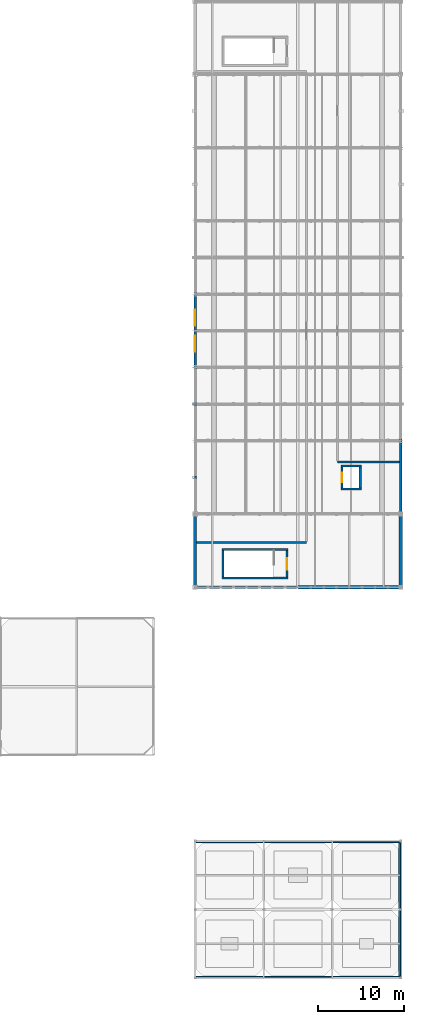
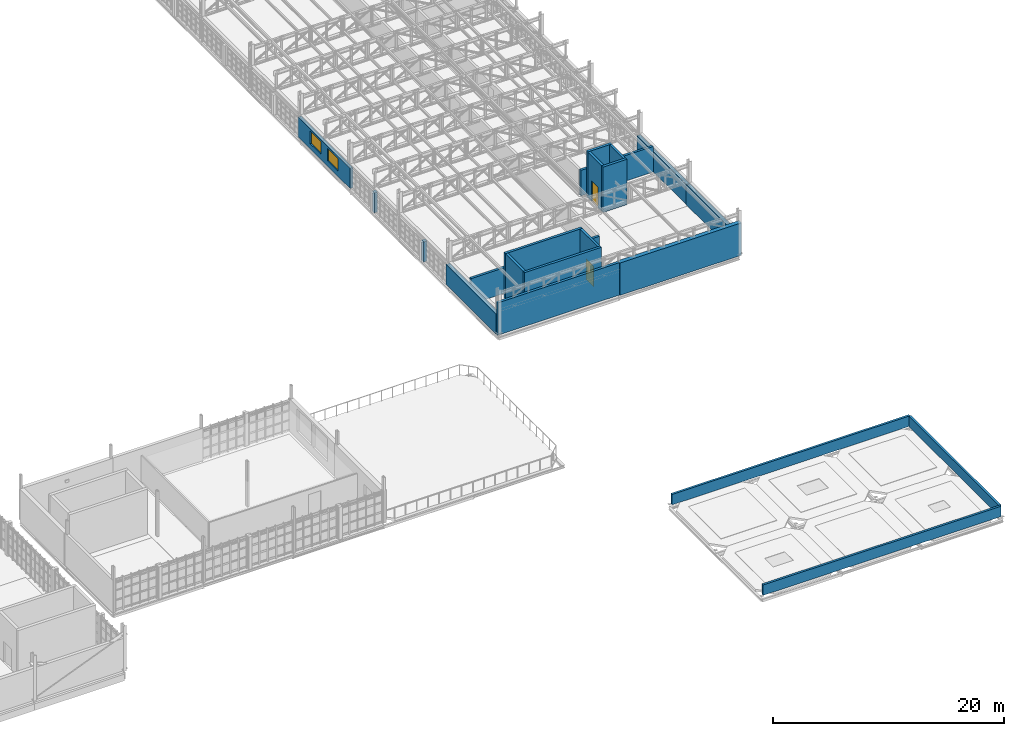
# One storey, part 117 of 128: 21 walls, 2 doors, 2 windows, 4 openings.
"""IFC4 building model written with IfcOpenShell, lengths in metres."""

from ifc_helpers import new_model, si_unit, direction, frame, frame_2d, origin, place, context, subcontext, project, spatial, rectangle, extrude, material, layer, layer_set, type_object, element, fill, save


model = new_model("IFC4")

# Units and contexts
model_context = context("Model", 3, precision=1e-05, world=origin(), true_north=direction((0.0, 1.0)))
body_context = subcontext(model_context, "Body", "Model", "MODEL_VIEW")
ifc_project = project(units=[si_unit("LENGTHUNIT", "METRE"), si_unit("AREAUNIT", "SQUARE_METRE"), si_unit("VOLUMEUNIT", "CUBIC_METRE"), si_unit("PLANEANGLEUNIT", "RADIAN"), si_unit("MASSUNIT", "GRAM", prefix="KILO")], contexts=[model_context])

# Site, building, storey
site_placement = place(None, origin())
site = spatial("IfcSite", under=ifc_project, at=site_placement, CompositionType="ELEMENT")
building_placement = place(site_placement, origin())
building = spatial("IfcBuilding", under=site, at=building_placement, Name="Serraforn Aerial Cableway Station", CompositionType="ELEMENT")
storey_placement = place(building_placement, frame((0.0, 0.0, 9.0)))
storey = spatial("IfcBuildingStorey", under=building, at=storey_placement, Name="L02", CompositionType="ELEMENT", Elevation=9.0)

# Wall, opening, door
ifc_material_1 = material(Name="Concrete C35/45", Category="concrete")
ifc_layer_1 = layer(ifc_material_1, 0.25)
ifc_layer_set_1 = layer_set([ifc_layer_1], Name="Concrete C35/45")
wall_type_1 = type_object("IfcWallType", Name="WL-COR-250", PredefinedType="SHEAR", material=ifc_layer_set_1)
wall_1_placement = place(storey_placement, frame((154.72509765625, 49.860107421875, 0.0), z_axis=(0.0, 0.0, 1.0), x_axis=(0.0, -1.0, 0.0)))
wall_1 = element("IfcWall", 1, at=wall_1_placement, inside=storey, type_object=wall_type_1, Name="Stair Core Shear Wall WCOR-ST-10-L02-NEAR", PredefinedType="SHEAR", context=body_context, shape_type="SweptSolid", body=[
    extrude(rectangle(XDim=3.06005859375, YDim=0.25, at=frame_2d((1.530029296875, 0.0))), origin(), (0.0, 0.0, 1.0), 4.800048828125),
])
opening_1_placement = place(wall_1_placement, frame((0.85498046875, 0.0, 0.0)))
opening_1 = element("IfcOpeningElement", 2, at=opening_1_placement, cuts=wall_1, Name="Opening D-S36", PredefinedType="OPENING", context=body_context, shape_type="SweptSolid", body=[
    extrude(rectangle(XDim=1.35009765625, YDim=2.14990234375, at=frame_2d((0.675048828125, 1.074951171875))), frame((0.0, 0.135009765625, 0.0), z_axis=(0.0, -1.0, 0.0), x_axis=(1.0, 0.0, 0.0)), (0.0, 0.0, 1.0), 0.27001953125),
])
ifc_material_2 = material(Name="Self-closing steel stair fire door", Category="steel")
door_type_1 = type_object("IfcDoorType", Name="DR-STAIR-135", OperationType="NOTDEFINED", PredefinedType="DOOR", material=ifc_material_2)
door_1_placement = place(opening_1_placement, origin())
door_1 = element("IfcDoor", 3, at=door_1_placement, inside=storey, type_object=door_type_1, Name="Protected Stair Door D-S36", OperationType="SINGLE_SWING_RIGHT", OverallHeight=2.14990234375, OverallWidth=1.35009765625, PredefinedType="DOOR", context=body_context, shape_type="SweptSolid", body=[
    extrude(rectangle(XDim=1.35009765625, YDim=2.14990234375, at=frame_2d((0.675048828125, 1.074951171875))), frame((0.0, 0.02490234375, 0.0), z_axis=(0.0, -1.0, 0.0), x_axis=(1.0, 0.0, 0.0)), (0.0, 0.0, 1.0), 0.050048828125),
])
fill(opening_1, door_1)

# Walls
wall_2_placement = place(storey_placement, frame((147.27490234375, 49.860107421875, 0.0), z_axis=(0.0, 0.0, 1.0), x_axis=(0.0, -1.0, 0.0)))
element("IfcWall", 4, at=wall_2_placement, inside=storey, type_object=wall_type_1, Name="Stair Core Shear Wall WCOR-ST-10-L02-FAR", PredefinedType="SHEAR", context=body_context, shape_type="SweptSolid", body=[
    extrude(rectangle(XDim=3.06005859375, YDim=0.25, at=frame_2d((1.530029296875, 0.0))), origin(), (0.0, 0.0, 1.0), 4.800048828125),
])
for number, where, z_axis, x_axis, name in (
    (5, (154.85009765625, 49.985107421875, 0.0), (0.0, 0.0, 1.0), (-1.0, 0.0, 0.0), "Stair Core Shear Wall WCOR-ST-10-L02-L"),
    (6, (154.85009765625, 46.675048828125, 0.0), (0.0, 0.0, 1.0), (-1.0, 0.0, 0.0), "Stair Core Shear Wall WCOR-ST-10-L02-R"),
):
    element("IfcWall", number, at=place(storey_placement, frame(where, z_axis=z_axis, x_axis=x_axis)), inside=storey, type_object=wall_type_1, Name=name, PredefinedType="SHEAR", context=body_context, shape_type="SweptSolid", body=[
        extrude(rectangle(XDim=7.7001953125, YDim=0.25, at=frame_2d((3.85009765625, 0.0))), origin(), (0.0, 0.0, 1.0), 4.800048828125),
    ])
for number, where, z_axis, x_axis, name in (
    (7, (161.0, 57.074951171875, 0.0), (0.0, 0.0, 1.0), (1.0, 0.0, 0.0), "Lift Shaft Shear Wall WLFT-LF-06-L02-S"),
    (8, (161.0, 59.72509765625, 0.0), (0.0, 0.0, 1.0), (1.0, 0.0, 0.0), "Lift Shaft Shear Wall WLFT-LF-06-L02-N"),
):
    element("IfcWall", number, at=place(storey_placement, frame(where, z_axis=z_axis, x_axis=x_axis)), inside=storey, type_object=wall_type_1, Name=name, PredefinedType="SHEAR", context=body_context, shape_type="SweptSolid", body=[
        extrude(rectangle(XDim=2.39990234375, YDim=0.25, at=frame_2d((1.199951171875, 0.0))), origin(), (0.0, 0.0, 1.0), 4.800048828125),
    ])

# Wall, opening, door
wall_3_placement = place(storey_placement, frame((161.125, 57.199951171875, 0.0), z_axis=(0.0, 0.0, 1.0), x_axis=(0.0, 1.0, 0.0)))
wall_3 = element("IfcWall", 9, at=wall_3_placement, inside=storey, type_object=wall_type_1, Name="Lift Shaft Shear Wall WLFT-LF-06-L02-W", PredefinedType="SHEAR", context=body_context, shape_type="SweptSolid", body=[
    extrude(rectangle(XDim=2.400146484375, YDim=0.25, at=frame_2d((1.2001953125, 0.0))), origin(), (0.0, 0.0, 1.0), 4.800048828125),
])
opening_2_placement = place(wall_3_placement, frame((0.64990234375, 0.0, 0.0)))
opening_2 = element("IfcOpeningElement", 10, at=opening_2_placement, cuts=wall_3, Name="Opening LD-23", PredefinedType="OPENING", context=body_context, shape_type="SweptSolid", body=[
    extrude(rectangle(XDim=1.10009765625, YDim=2.14990234375, at=frame_2d((0.550048828125, 1.074951171875))), frame((0.0, 0.135009765625, 0.0), z_axis=(0.0, -1.0, 0.0), x_axis=(1.0, 0.0, 0.0)), (0.0, 0.0, 1.0), 0.27001953125),
])
ifc_material_3 = material(Name="Brushed stainless-steel sliding lift landing door", Category="steel")
door_type_2 = type_object("IfcDoorType", Name="DR-LIFT-110", OperationType="SLIDING_TO_LEFT", PredefinedType="DOOR", material=ifc_material_3)
door_2_placement = place(opening_2_placement, origin())
door_2 = element("IfcDoor", 11, at=door_2_placement, inside=storey, type_object=door_type_2, Name="Sliding Lift Landing Door LD-23 (LF-06 L02)", OperationType="SLIDING_TO_LEFT", OverallHeight=2.14990234375, OverallWidth=1.10009765625, PredefinedType="DOOR", context=body_context, shape_type="SweptSolid", body=[
    extrude(rectangle(XDim=1.10009765625, YDim=2.14990234375, at=frame_2d((0.550048828125, 1.074951171875))), frame((0.0, 0.02490234375, 0.0), z_axis=(0.0, -1.0, 0.0), x_axis=(1.0, 0.0, 0.0)), (0.0, 0.0, 1.0), 0.050048828125),
])
fill(opening_2, door_2)

# Walls
wall_4_placement = place(storey_placement, frame((163.27490234375, 57.199951171875, 0.0), z_axis=(0.0, 0.0, 1.0), x_axis=(0.0, 1.0, 0.0)))
element("IfcWall", 12, at=wall_4_placement, inside=storey, type_object=wall_type_1, Name="Lift Shaft Shear Wall WLFT-LF-06-L02-E", PredefinedType="SHEAR", context=body_context, shape_type="SweptSolid", body=[
    extrude(rectangle(XDim=2.400146484375, YDim=0.25, at=frame_2d((1.2001953125, 0.0))), origin(), (0.0, 0.0, 1.0), 4.800048828125),
])
ifc_material_4 = material(Name="Insulated stuccoed terracotta facade", Category="masonry")
ifc_layer_2 = layer(ifc_material_4, 0.260009765625)
ifc_layer_set_2 = layer_set([ifc_layer_2], Name="Insulated stuccoed terracotta facade")
wall_type_2 = type_object("IfcWallType", Name="WL-EXT-260", PredefinedType="SOLIDWALL", material=ifc_layer_set_2)
wall_5_placement = place(storey_placement, frame((143.85009765625, 45.60009765625, 0.0), z_axis=(0.0, 0.0, 1.0), x_axis=(1.0, 0.0, 0.0)))
element("IfcWall", 13, at=wall_5_placement, inside=storey, type_object=wall_type_2, Name="Exterior Wall WEXT-EG-L02-S1", PredefinedType="SOLIDWALL", context=body_context, shape_type="SweptSolid", body=[
    extrude(rectangle(XDim=12.14990234375, YDim=0.260009765625, at=frame_2d((6.074951171875, 0.0))), origin(), (0.0, 0.0, 1.0), 3.419921875),
])

# Wall, openings, windows
ifc_material_5 = material(Name="Insulated fluted limestone rainscreen", Category="masonry")
ifc_layer_3 = layer(ifc_material_5, 0.2900390625)
ifc_layer_set_3 = layer_set([ifc_layer_3], Name="Insulated fluted limestone rainscreen")
wall_type_3 = type_object("IfcWallType", Name="WL-EXT-290", PredefinedType="SOLIDWALL", material=ifc_layer_set_3)
wall_6_placement = place(storey_placement, frame((144.0, 80.02490234375, 0.0), z_axis=(0.0, 0.0, 1.0), x_axis=(0.0, -1.0, 0.0)))
wall_6 = element("IfcWall", 14, at=wall_6_placement, inside=storey, type_object=wall_type_3, Name="Exterior Wall WEXT-EG-L02-W4", PredefinedType="SOLIDWALL", context=body_context, shape_type="SweptSolid", body=[
    extrude(rectangle(XDim=9.0, YDim=0.2900390625, at=frame_2d((4.5, 0.0))), origin(), (0.0, 0.0, 1.0), 2.1201171875),
])
opening_3_placement = place(wall_6_placement, frame((2.074951171875, 0.0, 0.550048828125)))
opening_3 = element("IfcOpeningElement", 15, at=opening_3_placement, cuts=wall_6, Name="Opening W-17", PredefinedType="OPENING", context=body_context, shape_type="SweptSolid", body=[
    extrude(rectangle(XDim=1.85009765625, YDim=1.35009765625, at=frame_2d((0.925048828125, 0.675048828125))), frame((0.0, 0.155029296875, 0.0), z_axis=(0.0, -1.0, 0.0), x_axis=(1.0, 0.0, 0.0)), (0.0, 0.0, 1.0), 0.31005859375),
])
opening_4_placement = place(wall_6_placement, frame((5.074951171875, 0.0, 0.550048828125)))
opening_4 = element("IfcOpeningElement", 16, at=opening_4_placement, cuts=wall_6, Name="Opening W-17", PredefinedType="OPENING", context=body_context, shape_type="SweptSolid", body=[
    extrude(rectangle(XDim=1.85009765625, YDim=1.35009765625, at=frame_2d((0.925048828125, 0.675048828125))), frame((0.0, 0.155029296875, 0.0), z_axis=(0.0, -1.0, 0.0), x_axis=(1.0, 0.0, 0.0)), (0.0, 0.0, 1.0), 0.31005859375),
])
ifc_material_6 = material(Name="Anodised bronze aluminium and low-E double glazing", Category="aluminium")
window_type = type_object("IfcWindowType", Name="WIN-ART-17", PartitioningType="SINGLE_PANEL", PredefinedType="WINDOW", material=ifc_material_6)
window_1_placement = place(opening_3_placement, origin())
window_1 = element("IfcWindow", 17, at=window_1_placement, inside=storey, type_object=window_type, Name="Art Deco Window WEXT-EG-L02-W4-W1", OverallHeight=1.35009765625, OverallWidth=1.85009765625, PartitioningType="SINGLE_PANEL", PredefinedType="WINDOW", context=body_context, shape_type="SweptSolid", body=[
    extrude(rectangle(XDim=1.85009765625, YDim=1.35009765625, at=frame_2d((0.925048828125, 0.675048828125))), frame((0.0, 0.030029296875, 0.0), z_axis=(0.0, -1.0, 0.0), x_axis=(1.0, 0.0, 0.0)), (0.0, 0.0, 1.0), 0.06005859375),
])
fill(opening_3, window_1)
window_2_placement = place(opening_4_placement, origin())
window_2 = element("IfcWindow", 18, at=window_2_placement, inside=storey, type_object=window_type, Name="Art Deco Window WEXT-EG-L02-W4-W2", OverallHeight=1.35009765625, OverallWidth=1.85009765625, PartitioningType="SINGLE_PANEL", PredefinedType="WINDOW", context=body_context, shape_type="SweptSolid", body=[
    extrude(rectangle(XDim=1.85009765625, YDim=1.35009765625, at=frame_2d((0.925048828125, 0.675048828125))), frame((0.0, 0.030029296875, 0.0), z_axis=(0.0, -1.0, 0.0), x_axis=(1.0, 0.0, 0.0)), (0.0, 0.0, 1.0), 0.06005859375),
])
fill(opening_4, window_2)

# Walls
ifc_layer_4 = layer(ifc_material_5, 0.320068359375)
ifc_layer_set_4 = layer_set([ifc_layer_4], Name="Insulated fluted limestone rainscreen")
wall_type_4 = type_object("IfcWallType", Name="WL-EXT-320", PredefinedType="SOLIDWALL", material=ifc_layer_set_4)
wall_7_placement = place(storey_placement, frame((144.0, 67.155029296875, 0.0), z_axis=(0.0, 0.0, 1.0), x_axis=(0.0, -1.0, 0.0)))
element("IfcWall", 19, at=wall_7_placement, inside=storey, type_object=wall_type_4, Name="Exterior Wall WPIER-EG-L02-W3", PredefinedType="SOLIDWALL", context=body_context, shape_type="SweptSolid", body=[
    extrude(rectangle(XDim=0.360107421875, YDim=0.320068359375, at=frame_2d((0.18017578125, 0.0))), origin(), (0.0, 0.0, 1.0), 2.1201171875),
])
ifc_layer_5 = layer(ifc_material_5, 0.3349609375)
ifc_layer_set_5 = layer_set([ifc_layer_5], Name="Insulated fluted limestone rainscreen")
wall_type_5 = type_object("IfcWallType", Name="WL-EXT-335", PredefinedType="SOLIDWALL", material=ifc_layer_set_5)
wall_8_placement = place(storey_placement, frame((168.0, 54.3759765625, 0.0), z_axis=(0.0, 0.0, 1.0), x_axis=(0.0, 1.0, 0.0)))
element("IfcWall", 20, at=wall_8_placement, inside=storey, type_object=wall_type_5, Name="Exterior Wall WEXT-EG-L02-E2", PredefinedType="SOLIDWALL", context=body_context, shape_type="SweptSolid", body=[
    extrude(rectangle(XDim=8.549072265625, YDim=0.3349609375, at=frame_2d((4.2744140625, 0.0))), origin(), (0.0, 0.0, 1.0), 2.1201171875),
])
ifc_material_7 = material(Name="Montjuic sandstone ashlar masonry", Category="masonry")
ifc_layer_6 = layer(ifc_material_7, 0.35009765625)
ifc_layer_set_6 = layer_set([ifc_layer_6], Name="Montjuic sandstone ashlar masonry")
wall_type_6 = type_object("IfcWallType", Name="WL-EXT-350", PredefinedType="SOLIDWALL", material=ifc_layer_set_6)
wall_9_placement = place(storey_placement, frame((144.0, 58.60498046875, 0.0), z_axis=(0.0, 0.0, 1.0), x_axis=(0.0, -1.0, 0.0)))
element("IfcWall", 21, at=wall_9_placement, inside=storey, type_object=wall_type_6, Name="Exterior Wall WPIER-EG-L02-W2", PredefinedType="SOLIDWALL", context=body_context, shape_type="SweptSolid", body=[
    extrude(rectangle(XDim=0.35986328125, YDim=0.35009765625, at=frame_2d((0.179931640625, 0.0))), origin(), (0.0, 0.0, 1.0), 2.1201171875),
])
ifc_layer_7 = layer(ifc_material_7, 0.364990234375)
ifc_layer_set_7 = layer_set([ifc_layer_7], Name="Montjuic sandstone ashlar masonry")
wall_type_7 = type_object("IfcWallType", Name="WL-EXT-365", PredefinedType="SOLIDWALL", material=ifc_layer_set_7)
wall_10_placement = place(storey_placement, frame((168.0, 45.80859375, 0.0), z_axis=(0.0, 0.0, 1.0), x_axis=(0.0, 1.0, 0.0)))
element("IfcWall", 22, at=wall_10_placement, inside=storey, type_object=wall_type_7, Name="Exterior Wall WEXT-EG-L02-E1", PredefinedType="SOLIDWALL", context=body_context, shape_type="SweptSolid", body=[
    extrude(rectangle(XDim=8.56640625, YDim=0.364990234375, at=frame_2d((4.283203125, 0.0))), origin(), (0.0, 0.0, 1.0), 2.1201171875),
])
ifc_layer_8 = layer(ifc_material_7, 0.3798828125)
ifc_layer_set_8 = layer_set([ifc_layer_8], Name="Montjuic sandstone ashlar masonry")
wall_type_8 = type_object("IfcWallType", Name="WL-EXT-380", PredefinedType="SOLIDWALL", material=ifc_layer_set_8)
wall_11_placement = place(storey_placement, frame((144.0, 54.375, 0.0), z_axis=(0.0, 0.0, 1.0), x_axis=(0.0, -1.0, 0.0)))
element("IfcWall", 23, at=wall_11_placement, inside=storey, type_object=wall_type_8, Name="Exterior Wall WEXT-EG-L02-W1", PredefinedType="SOLIDWALL", context=body_context, shape_type="SweptSolid", body=[
    extrude(rectangle(XDim=8.64404296875, YDim=0.3798828125, at=frame_2d((4.322021484375, 0.0))), origin(), (0.0, 0.0, 1.0), 2.1201171875),
])
ifc_layer_9 = layer(ifc_material_7, 0.4150390625)
ifc_layer_set_9 = layer_set([ifc_layer_9], Name="Montjuic sandstone ashlar masonry")
wall_type_9 = type_object("IfcWallType", Name="WL-EXT-415", PredefinedType="SOLIDWALL", material=ifc_layer_set_9)
wall_12_placement = place(storey_placement, frame((156.0, 45.60009765625, 0.0), z_axis=(0.0, 0.0, 1.0), x_axis=(1.0, 0.0, 0.0)))
element("IfcWall", 24, at=wall_12_placement, inside=storey, type_object=wall_type_9, Name="Exterior Wall WEXT-EG-L02-S2", PredefinedType="SOLIDWALL", context=body_context, shape_type="SweptSolid", body=[
    extrude(rectangle(XDim=12.14990234375, YDim=0.4150390625, at=frame_2d((6.074951171875, 0.0))), origin(), (0.0, 0.0, 1.0), 3.419921875),
])
ifc_material_8 = material(Name="Concrete C30/37", Category="concrete")
ifc_layer_10 = layer(ifc_material_8, 0.241943359375)
ifc_layer_set_10 = layer_set([ifc_layer_10], Name="Concrete C30/37")
wall_type_10 = type_object("IfcWallType", Name="WL-FIR-242", PredefinedType="SOLIDWALL", material=ifc_layer_set_10)
wall_13_placement = place(storey_placement, frame((157.0, 50.800048828125, 0.0), z_axis=(0.0, 0.0, 1.0), x_axis=(-1.0, 0.0, 0.0)))
element("IfcWall", 25, at=wall_13_placement, inside=storey, type_object=wall_type_10, Name="Interior Partition WPRT-L02-12-192", PredefinedType="SOLIDWALL", context=body_context, shape_type="SweptSolid", body=[
    extrude(rectangle(XDim=12.80908203125, YDim=0.241943359375, at=frame_2d((6.404541015625, 0.0))), origin(), (0.0, 0.0, 1.0), 2.699951171875),
])
ifc_material_9 = material(Name="Montjuic sandstone ashlar coping", Category="masonry")
ifc_layer_11 = layer(ifc_material_9, 0.215087890625)
ifc_layer_set_11 = layer_set([ifc_layer_11], Name="Montjuic sandstone ashlar coping")
wall_type_11 = type_object("IfcWallType", Name="WL-PAR-215", PredefinedType="PARAPET", material=ifc_layer_set_11)
wall_14_placement = place(storey_placement, frame((144.1201171875, 15.8798828125, 0.0), z_axis=(0.0, 0.0, 1.0), x_axis=(1.0, 0.0, 0.0)))
element("IfcWall", 26, at=wall_14_placement, inside=storey, type_object=wall_type_11, Name="Roof Parapet PAR-ES-N", PredefinedType="PARAPET", context=body_context, shape_type="SweptSolid", body=[
    extrude(rectangle(XDim=23.759765625, YDim=0.215087890625, at=frame_2d((11.8798828125, 0.0))), origin(), (0.0, 0.0, 1.0), 1.10009765625),
])
wall_15_placement = place(storey_placement, frame((167.8798828125, 0.228515625, 0.0), z_axis=(0.0, 0.0, 1.0), x_axis=(0.0, 1.0, 0.0)))
element("IfcWall", 27, at=wall_15_placement, inside=storey, type_object=wall_type_11, Name="Roof Parapet PAR-ES-E", PredefinedType="PARAPET", context=body_context, shape_type="SweptSolid", body=[
    extrude(rectangle(XDim=15.54296875, YDim=0.215087890625, at=frame_2d((7.771484375, 0.0))), origin(), (0.0, 0.0, 1.0), 1.10009765625),
])
wall_16_placement = place(storey_placement, frame((144.1201171875, 0.1201171875, 0.0), z_axis=(0.0, 0.0, 1.0), x_axis=(1.0, 0.0, 0.0)))
element("IfcWall", 28, at=wall_16_placement, inside=storey, type_object=wall_type_11, Name="Roof Parapet PAR-ES-S", PredefinedType="PARAPET", context=body_context, shape_type="SweptSolid", body=[
    extrude(rectangle(XDim=23.759765625, YDim=0.215087890625, at=frame_2d((11.8798828125, 0.0))), origin(), (0.0, 0.0, 1.0), 1.10009765625),
])
ifc_material_10 = material(Name="Acoustic masonry blockwork", Category="masonry")
ifc_layer_12 = layer(ifc_material_10, 0.235107421875)
ifc_layer_set_12 = layer_set([ifc_layer_12], Name="Acoustic masonry blockwork")
wall_type_12 = type_object("IfcWallType", Name="WL-PRT-235", PredefinedType="PARTITIONING", material=ifc_layer_set_12)
wall_17_placement = place(storey_placement, frame((167.83154296875, 60.199951171875, 0.0), z_axis=(0.0, 0.0, 1.0), x_axis=(-1.0, 0.0, 0.0)))
element("IfcWall", 29, at=wall_17_placement, inside=storey, type_object=wall_type_12, Name="Interior Partition WPRT-L02-13-195", PredefinedType="PARTITIONING", context=body_context, shape_type="SweptSolid", body=[
    extrude(rectangle(XDim=7.2314453125, YDim=0.235107421875, at=frame_2d((3.61572265625, 0.0))), origin(), (0.0, 0.0, 1.0), 2.699951171875),
])

save(model, "model.ifc")
